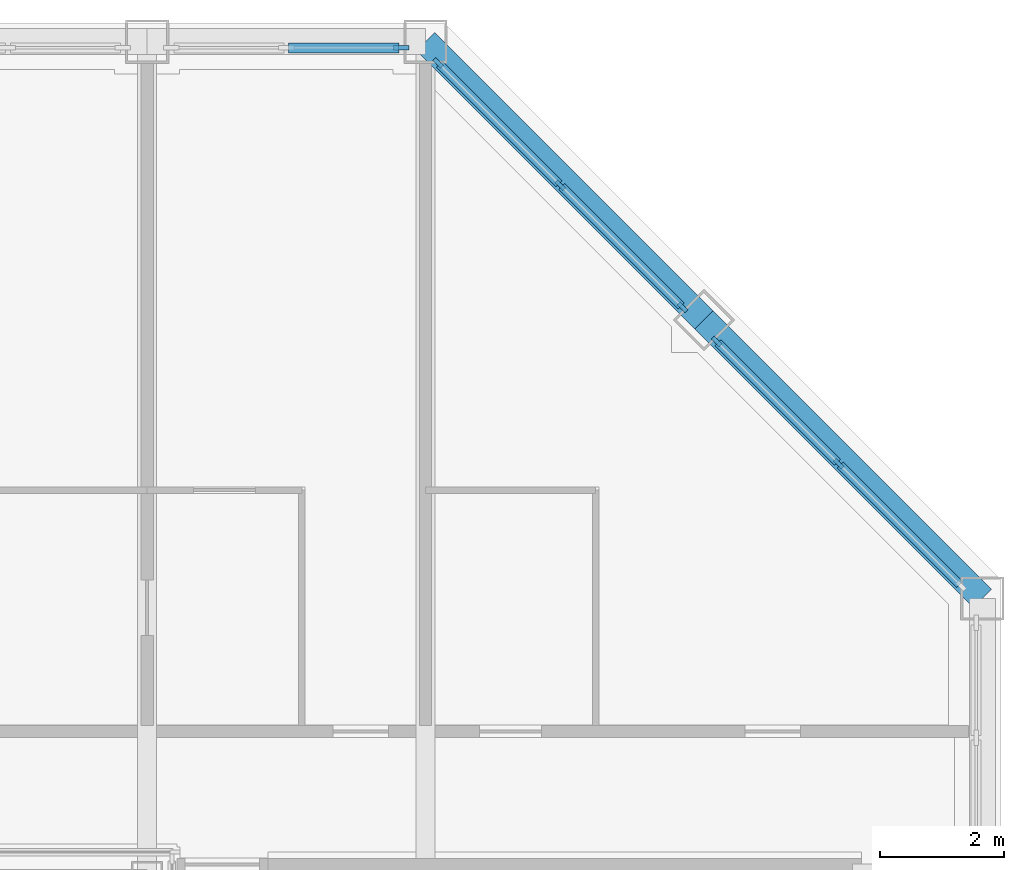
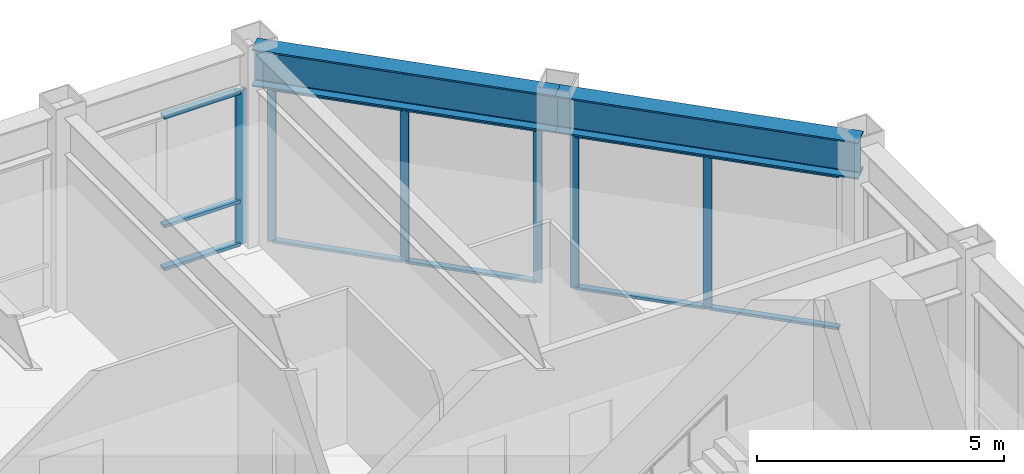
# One storey, part 8 of 15: 17 members, 2 beams, 3 elements without a shape of their own.
"""IFC4 building model written with IfcOpenShell, lengths in metres."""

from ifc_helpers import new_model, si_unit, direction, frame, origin, origin_2d, place, context, subcontext, project, spatial, rectangle, i_section, extrude, material, material_profile, profile_set, type_object, element, aggregate, save


model = new_model("IFC4")

# Units and contexts
model_context = context("Model", 3, precision=1e-05, world=origin(), true_north=direction((0.0, 1.0)))
body_context = subcontext(model_context, "Body", "Model", "MODEL_VIEW")
ifc_project = project(units=[si_unit("LENGTHUNIT", "METRE"), si_unit("AREAUNIT", "SQUARE_METRE"), si_unit("VOLUMEUNIT", "CUBIC_METRE"), si_unit("PLANEANGLEUNIT", "RADIAN"), si_unit("MASSUNIT", "GRAM", prefix="KILO")], contexts=[model_context])

# Site, building, storey
site_placement = place(None, origin())
site = spatial("IfcSite", under=ifc_project, at=site_placement, CompositionType="ELEMENT")
building_placement = place(site_placement, origin())
building = spatial("IfcBuilding", under=site, at=building_placement, Name="Msasa Ring Tower", CompositionType="ELEMENT")
storey_placement = place(building_placement, frame((0.0, 0.0, 257.050048828125)))
storey = spatial("IfcBuildingStorey", under=building, at=storey_placement, Name="L67", CompositionType="ELEMENT", Elevation=257.050048828125)

# Curtain wall, members
ifc_material_1 = material(Name="Aluminium curtain wall with clear glass", Category="aluminium")
curtain_wall_type_1 = type_object("IfcCurtainWallType", Name="CW-C CHAMFER CORNER CURTAIN WALL", PredefinedType="NOTDEFINED", material=ifc_material_1)
curtain_wall_1_placement = place(storey_placement, origin())
curtain_wall_1 = element("IfcCurtainWall", 1, at=curtain_wall_1_placement, inside=storey, type_object=curtain_wall_type_1, Name="Chamfer corner curtain wall NE L67", PredefinedType="NOTDEFINED")
ifc_material_2 = material(Name="Aluminium mullion", Category="aluminium")
ifc_material_profile_1 = material_profile(ifc_material_2, rectangle(XDim=0.06494140625, YDim=0.179931640625, at=origin_2d()), Name="AL 65x180")
ifc_profile_set_1 = profile_set([ifc_material_profile_1], Name="Aluminium mullion")
member_type_1 = type_object("IfcMemberType", Name="CW-C MULLION 65x180", PredefinedType="MULLION", material=ifc_profile_set_1)
member_1_placement = place(storey_placement, frame((15.4052734375, 15.953369140625, 0.0), z_axis=(0.0, 0.0, 1.0), x_axis=(-0.707106781187, -0.707106781187, 0.0)))
member_1 = element("IfcMember", 2, at=member_1_placement, type_object=member_type_1, Name="CW-C mullion 1", PredefinedType="MULLION", context=body_context, shape_type="SweptSolid", body=[
    extrude(rectangle(XDim=0.06494140625, YDim=0.179931640625, at=origin_2d()), origin(), (0.0, 0.0, 1.0), 3.828857421875),
])
member_2_placement = place(storey_placement, frame((13.42919921875, 17.92919921875, 0.0), z_axis=(0.0, 0.0, 1.0), x_axis=(-0.707106781187, -0.707106781187, 0.0)))
member_2 = element("IfcMember", 3, at=member_2_placement, type_object=member_type_1, Name="CW-C mullion 2", PredefinedType="MULLION", context=body_context, shape_type="SweptSolid", body=[
    extrude(rectangle(XDim=0.06494140625, YDim=0.179931640625, at=origin_2d()), origin(), (0.0, 0.0, 1.0), 3.828857421875),
])
member_3_placement = place(storey_placement, frame((11.453369140625, 19.9052734375, 0.0), z_axis=(0.0, 0.0, 1.0), x_axis=(-0.707106781187, -0.707106781187, 0.0)))
member_3 = element("IfcMember", 4, at=member_3_placement, type_object=member_type_1, Name="CW-C mullion 3", PredefinedType="MULLION", context=body_context, shape_type="SweptSolid", body=[
    extrude(rectangle(XDim=0.06494140625, YDim=0.179931640625, at=origin_2d()), origin(), (0.0, 0.0, 1.0), 3.828857421875),
])

curtain_wall_2_placement = place(storey_placement, origin())
curtain_wall_2 = element("IfcCurtainWall", 5, at=curtain_wall_2_placement, inside=storey, type_object=curtain_wall_type_1, Name="Chamfer corner curtain wall NE L67", PredefinedType="NOTDEFINED")
member_4_placement = place(storey_placement, frame((17.92919921875, 13.42919921875, 0.0), z_axis=(0.0, 0.0, 1.0), x_axis=(-0.707106781187, -0.707106781187, 0.0)))
member_4 = element("IfcMember", 6, at=member_4_placement, type_object=member_type_1, Name="CW-C mullion 2", PredefinedType="MULLION", context=body_context, shape_type="SweptSolid", body=[
    extrude(rectangle(XDim=0.06494140625, YDim=0.179931640625, at=origin_2d()), origin(), (0.0, 0.0, 1.0), 3.828857421875),
])
member_5_placement = place(storey_placement, frame((15.953369140625, 15.4052734375, 0.0), z_axis=(0.0, 0.0, 1.0), x_axis=(-0.707106781187, -0.707106781187, 0.0)))
member_5 = element("IfcMember", 7, at=member_5_placement, type_object=member_type_1, Name="CW-C mullion 3", PredefinedType="MULLION", context=body_context, shape_type="SweptSolid", body=[
    extrude(rectangle(XDim=0.06494140625, YDim=0.179931640625, at=origin_2d()), origin(), (0.0, 0.0, 1.0), 3.828857421875),
])

# Member
ifc_material_3 = material(Name="Aluminium transom", Category="aluminium")
ifc_material_profile_2 = material_profile(ifc_material_3, rectangle(XDim=0.139892578125, YDim=0.06494140625, at=origin_2d()), Name="AL 65x140")
ifc_profile_set_2 = profile_set([ifc_material_profile_2], Name="Aluminium transom")
member_type_2 = type_object("IfcMemberType", Name="CW-C TRANSOM 65x140", PredefinedType="USERDEFINED", material=ifc_profile_set_2)
member_6_placement = place(storey_placement, frame((15.38232421875, 15.976318359375, 0.032470703125), z_axis=(-0.707106781187, 0.707106781187, 0.0), x_axis=(-0.707106781187, -0.707106781187, 0.0)))
member_6 = element("IfcMember", 8, at=member_6_placement, type_object=member_type_2, Name="CW-C transom 1.1", ObjectType="TRANSOM", PredefinedType="USERDEFINED", context=body_context, shape_type="SweptSolid", body=[
    extrude(rectangle(XDim=0.139892578125, YDim=0.06494140625, at=origin_2d()), origin(), (0.0, 0.0, 1.0), 2.729248046875),
])

member_7_placement = place(storey_placement, frame((15.38232421875, 15.976318359375, 3.79638671875), z_axis=(-0.707106781187, 0.707106781187, 0.0), x_axis=(-0.707106781187, -0.707106781187, 0.0)))
member_7 = element("IfcMember", 9, at=member_7_placement, type_object=member_type_2, Name="CW-C transom 1.2", ObjectType="TRANSOM", PredefinedType="USERDEFINED", context=body_context, shape_type="SweptSolid", body=[
    extrude(rectangle(XDim=0.139892578125, YDim=0.06494140625, at=origin_2d()), origin(), (0.0, 0.0, 1.0), 2.729248046875),
])

member_8_placement = place(storey_placement, frame((13.40625, 17.952392578125, 0.032470703125), z_axis=(-0.707106781187, 0.707106781187, 0.0), x_axis=(-0.707106781187, -0.707106781187, 0.0)))
member_8 = element("IfcMember", 10, at=member_8_placement, type_object=member_type_2, Name="CW-C transom 2.1", ObjectType="TRANSOM", PredefinedType="USERDEFINED", context=body_context, shape_type="SweptSolid", body=[
    extrude(rectangle(XDim=0.139892578125, YDim=0.06494140625, at=origin_2d()), origin(), (0.0, 0.0, 1.0), 2.729248046875),
])

member_9_placement = place(storey_placement, frame((13.40625, 17.952392578125, 3.79638671875), z_axis=(-0.707106781187, 0.707106781187, 0.0), x_axis=(-0.707106781187, -0.707106781187, 0.0)))
member_9 = element("IfcMember", 11, at=member_9_placement, type_object=member_type_2, Name="CW-C transom 2.2", ObjectType="TRANSOM", PredefinedType="USERDEFINED", context=body_context, shape_type="SweptSolid", body=[
    extrude(rectangle(XDim=0.139892578125, YDim=0.06494140625, at=origin_2d()), origin(), (0.0, 0.0, 1.0), 2.729248046875),
])

aggregate(curtain_wall_1, [member_1, member_2, member_3, member_6, member_7, member_8, member_9])

member_10_placement = place(storey_placement, frame((19.88232421875, 11.476318359375, 0.032470703125), z_axis=(-0.707106781187, 0.707106781187, 0.0), x_axis=(-0.707106781187, -0.707106781187, 0.0)))
member_10 = element("IfcMember", 12, at=member_10_placement, type_object=member_type_2, Name="CW-C transom 1.1", ObjectType="TRANSOM", PredefinedType="USERDEFINED", context=body_context, shape_type="SweptSolid", body=[
    extrude(rectangle(XDim=0.139892578125, YDim=0.06494140625, at=origin_2d()), origin(), (0.0, 0.0, 1.0), 2.729248046875),
])

member_11_placement = place(storey_placement, frame((19.88232421875, 11.476318359375, 3.79638671875), z_axis=(-0.707106781187, 0.707106781187, 0.0), x_axis=(-0.707106781187, -0.707106781187, 0.0)))
member_11 = element("IfcMember", 13, at=member_11_placement, type_object=member_type_2, Name="CW-C transom 1.2", ObjectType="TRANSOM", PredefinedType="USERDEFINED", context=body_context, shape_type="SweptSolid", body=[
    extrude(rectangle(XDim=0.139892578125, YDim=0.06494140625, at=origin_2d()), origin(), (0.0, 0.0, 1.0), 2.729248046875),
])

member_12_placement = place(storey_placement, frame((17.90625, 13.452392578125, 0.032470703125), z_axis=(-0.707106781187, 0.707106781187, 0.0), x_axis=(-0.707106781187, -0.707106781187, 0.0)))
member_12 = element("IfcMember", 14, at=member_12_placement, type_object=member_type_2, Name="CW-C transom 2.1", ObjectType="TRANSOM", PredefinedType="USERDEFINED", context=body_context, shape_type="SweptSolid", body=[
    extrude(rectangle(XDim=0.139892578125, YDim=0.06494140625, at=origin_2d()), origin(), (0.0, 0.0, 1.0), 2.729248046875),
])

member_13_placement = place(storey_placement, frame((17.90625, 13.452392578125, 3.79638671875), z_axis=(-0.707106781187, 0.707106781187, 0.0), x_axis=(-0.707106781187, -0.707106781187, 0.0)))
member_13 = element("IfcMember", 15, at=member_13_placement, type_object=member_type_2, Name="CW-C transom 2.2", ObjectType="TRANSOM", PredefinedType="USERDEFINED", context=body_context, shape_type="SweptSolid", body=[
    extrude(rectangle(XDim=0.139892578125, YDim=0.06494140625, at=origin_2d()), origin(), (0.0, 0.0, 1.0), 2.729248046875),
])

aggregate(curtain_wall_2, [member_4, member_5, member_10, member_11, member_12, member_13])

# Curtain wall, members
ifc_material_4 = material(Name="Aluminium curtain wall with clear glass", Category="aluminium")
curtain_wall_type_2 = type_object("IfcCurtainWallType", Name="CW-S SKY LOBBY CURTAIN WALL", PredefinedType="NOTDEFINED", material=ifc_material_4)
curtain_wall_3_placement = place(storey_placement, origin())
curtain_wall_3 = element("IfcCurtainWall", 16, at=curtain_wall_3_placement, inside=storey, type_object=curtain_wall_type_2, Name="Sky lobby curtain wall N L67", PredefinedType="NOTDEFINED")
ifc_material_5 = material(Name="Aluminium mullion", Category="aluminium")
ifc_material_profile_3 = material_profile(ifc_material_5, rectangle(XDim=0.074951171875, YDim=0.25, at=origin_2d()), Name="AL 75x250")
ifc_profile_set_3 = profile_set([ifc_material_profile_3], Name="Aluminium mullion")
member_type_3 = type_object("IfcMemberType", Name="CW-S MULLION 75x250", PredefinedType="MULLION", material=ifc_profile_set_3)
member_14_placement = place(storey_placement, frame((10.857421875, 20.14990234375, 0.0), z_axis=(0.0, 0.0, 1.0), x_axis=(0.0, 1.0, 0.0)))
member_14 = element("IfcMember", 17, at=member_14_placement, type_object=member_type_3, Name="CW-S mullion 3", PredefinedType="MULLION", context=body_context, shape_type="SweptSolid", body=[
    extrude(rectangle(XDim=0.074951171875, YDim=0.25, at=origin_2d()), origin(), (0.0, 0.0, 1.0), 3.828857421875),
])
ifc_material_6 = material(Name="Aluminium transom", Category="aluminium")
ifc_material_profile_4 = material_profile(ifc_material_6, rectangle(XDim=0.159912109375, YDim=0.074951171875, at=origin_2d()), Name="AL 75x160")
ifc_profile_set_4 = profile_set([ifc_material_profile_4], Name="Aluminium transom")
member_type_4 = type_object("IfcMemberType", Name="CW-S TRANSOM 75x160", PredefinedType="USERDEFINED", material=ifc_profile_set_4)
member_15_placement = place(storey_placement, frame((9.03759765625, 20.14990234375, 0.037353515625), z_axis=(1.0, 0.0, 0.0), x_axis=(0.0, 1.0, 0.0)))
member_15 = element("IfcMember", 18, at=member_15_placement, type_object=member_type_4, Name="CW-S transom 2.1", ObjectType="TRANSOM", PredefinedType="USERDEFINED", context=body_context, shape_type="SweptSolid", body=[
    extrude(rectangle(XDim=0.159912109375, YDim=0.074951171875, at=origin_2d()), origin(), (0.0, 0.0, 1.0), 1.782470703125),
])
member_16_placement = place(storey_placement, frame((9.03759765625, 20.14990234375, 1.099853515625), z_axis=(1.0, 0.0, 0.0), x_axis=(0.0, 1.0, 0.0)))
member_16 = element("IfcMember", 19, at=member_16_placement, type_object=member_type_4, Name="CW-S transom 2.2", ObjectType="TRANSOM", PredefinedType="USERDEFINED", context=body_context, shape_type="SweptSolid", body=[
    extrude(rectangle(XDim=0.159912109375, YDim=0.074951171875, at=origin_2d()), origin(), (0.0, 0.0, 1.0), 1.782470703125),
])
member_17_placement = place(storey_placement, frame((9.03759765625, 20.14990234375, 3.79150390625), z_axis=(1.0, 0.0, 0.0), x_axis=(0.0, 1.0, 0.0)))
member_17 = element("IfcMember", 20, at=member_17_placement, type_object=member_type_4, Name="CW-S transom 2.3", ObjectType="TRANSOM", PredefinedType="USERDEFINED", context=body_context, shape_type="SweptSolid", body=[
    extrude(rectangle(XDim=0.159912109375, YDim=0.074951171875, at=origin_2d()), origin(), (0.0, 0.0, 1.0), 1.782470703125),
])
aggregate(curtain_wall_3, [member_14, member_15, member_16, member_17])

# Beams
ifc_material_7 = material(Name="Steel S355", Category="steel")
ifc_material_profile_5 = material_profile(ifc_material_7, i_section(OverallWidth=0.42041015625, OverallDepth=0.9208984375, WebThickness=0.021484375, FlangeThickness=0.03662109375, FilletRadius=0.024169921875, at=origin_2d()), Name="UB 914x419x388")
ifc_profile_set_5 = profile_set([ifc_material_profile_5], Name="Steel S355")
beam_type = type_object("IfcBeamType", Name="SB1 UB 914x419x388", PredefinedType="SPANDREL", material=ifc_profile_set_5)
for number, where, z_axis, x_axis, name in (
    (21, (20.25, 11.25, 4.28955078125), (-0.707106781187, 0.707106781187, 0.0), (-0.707106781187, -0.707106781187, 0.0), "Spandrel E+11.25 to NE under L68"),
    (22, (15.75, 15.75, 4.28955078125), (-0.707106781187, 0.707106781187, 0.0), (-0.707106781187, -0.707106781187, 0.0), "Spandrel NE to N+11.25 under L68"),
):
    element("IfcBeam", number, at=place(storey_placement, frame(where, z_axis=z_axis, x_axis=x_axis)), inside=storey, type_object=beam_type, Name=name, PredefinedType="SPANDREL", context=body_context, shape_type="SweptSolid", body=[
        extrude(i_section(OverallWidth=0.42041015625, OverallDepth=0.9208984375, WebThickness=0.021484375, FlangeThickness=0.03662109375, FilletRadius=0.024169921875, at=origin_2d()), origin(), (0.0, 0.0, 1.0), 6.364013671875),
    ])

save(model, "model.ifc")
